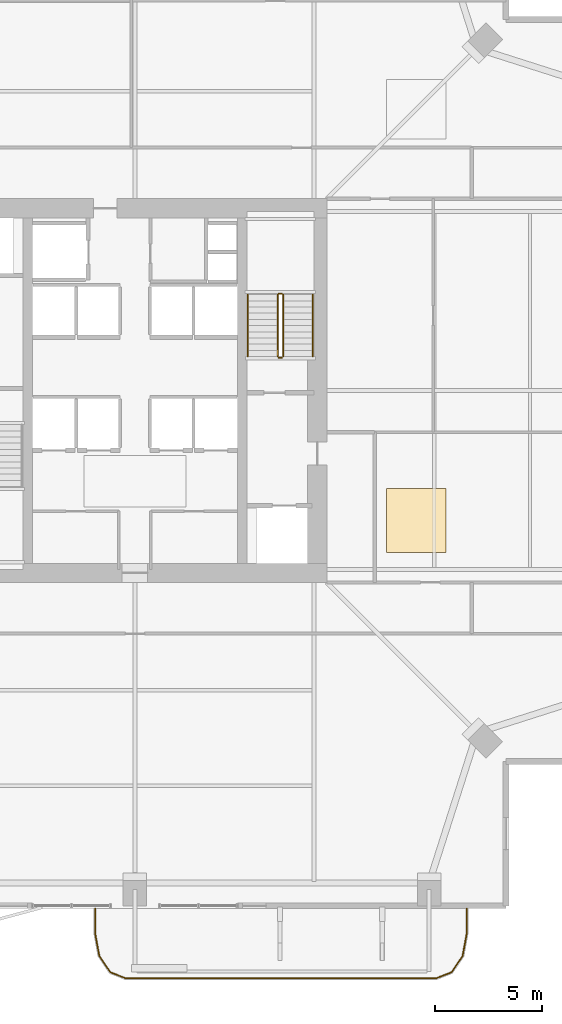
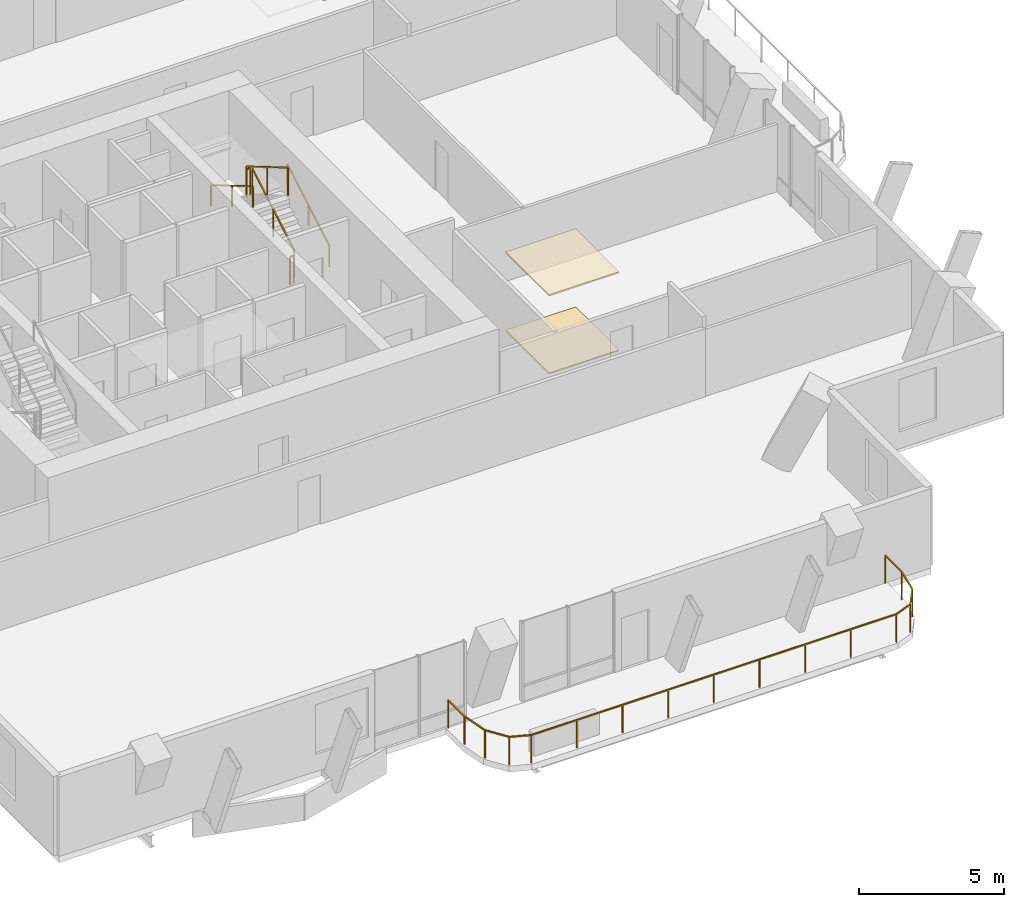
# One storey, part 23 of 24: 7 railings, 2 coverings.
"""IFC4 building model written with IfcOpenShell, lengths in metres."""

from ifc_helpers import new_model, si_unit, direction, frame, origin, origin_2d, place, context, subcontext, project, spatial, polyline, rectangle, outline, extrude, material, layer, layer_set, type_object, element, save


model = new_model("IFC4")

# Units and contexts
model_context = context("Model", 3, precision=1e-05, world=origin(), true_north=direction((0.0, 1.0)))
body_context = subcontext(model_context, "Body", "Model", "MODEL_VIEW")
ifc_project = project(units=[si_unit("LENGTHUNIT", "METRE"), si_unit("AREAUNIT", "SQUARE_METRE"), si_unit("VOLUMEUNIT", "CUBIC_METRE"), si_unit("PLANEANGLEUNIT", "RADIAN"), si_unit("MASSUNIT", "GRAM", prefix="KILO")], contexts=[model_context])

# Site, building, storey
site_placement = place(None, origin())
site = spatial("IfcSite", under=ifc_project, at=site_placement, CompositionType="ELEMENT")
building_placement = place(site_placement, origin())
building = spatial("IfcBuilding", under=site, at=building_placement, Name="Belovzor Exchange Tower", CompositionType="ELEMENT")
storey_placement = place(building_placement, frame((0.0, 0.0, 190.800048828125)))
storey = spatial("IfcBuildingStorey", under=building, at=storey_placement, Name="L47", CompositionType="ELEMENT", Elevation=190.800048828125)

# Railings
ifc_material_1 = material(Name="Stainless Steel Grade 304", Category="steel")
railing_type_1 = type_object("IfcRailingType", Name="Brushed Stainless Steel Stair Handrail 900", PredefinedType="HANDRAIL", material=ifc_material_1)
railing_1_placement = place(storey_placement, frame((37.14990234375, 30.39990234375, 0.17041015625)))
element("IfcRailing", 1, at=railing_1_placement, inside=storey, type_object=railing_type_1, Name="L47 ST-2 stair handrail 1", PredefinedType="HANDRAIL", context=body_context, shape_type="SweptSolid", body=[
    extrude(rectangle(XDim=0.048095703125, YDim=0.048095703125, at=origin_2d()), frame((0.0, 0.0, 0.8759765625), z_axis=(0.0, 0.862113265706, 0.506715617574), x_axis=(-1.0, 0.0, 0.0)), (0.0, 0.0, 1.0), 3.364013671875),
    extrude(rectangle(XDim=0.0419921875, YDim=0.0419921875, at=origin_2d()), origin(), (0.0, 0.0, 1.0), 0.851806640625),
    extrude(rectangle(XDim=0.0419921875, YDim=0.0419921875, at=origin_2d()), frame((0.0, 1.4501953125, 0.852294921875)), (0.0, 0.0, 1.0), 0.851806640625),
    extrude(rectangle(XDim=0.0419921875, YDim=0.0419921875, at=origin_2d()), frame((0.0, 2.900146484375, 1.70458984375)), (0.0, 0.0, 1.0), 0.851806640625),
])
railing_2_placement = place(storey_placement, frame((34.10009765625, 33.300048828125, 2.04541015625)))
element("IfcRailing", 2, at=railing_2_placement, inside=storey, type_object=railing_type_1, Name="L47 ST-2 stair handrail 2", PredefinedType="HANDRAIL", context=body_context, shape_type="SweptSolid", body=[
    extrude(rectangle(XDim=0.048095703125, YDim=0.048095703125, at=origin_2d()), frame((0.0, 0.0, 0.8759765625), z_axis=(0.0, -0.862113265706, 0.506715617574), x_axis=(1.0, 0.0, 0.0)), (0.0, 0.0, 1.0), 3.364013671875),
    extrude(rectangle(XDim=0.0419921875, YDim=0.0419921875, at=origin_2d()), origin(), (0.0, 0.0, 1.0), 0.851806640625),
    extrude(rectangle(XDim=0.0419921875, YDim=0.0419921875, at=origin_2d()), frame((0.0, -1.4501953125, 0.852294921875)), (0.0, 0.0, 1.0), 0.851806640625),
    extrude(rectangle(XDim=0.0419921875, YDim=0.0419921875, at=origin_2d()), frame((0.0, -2.900146484375, 1.70458984375)), (0.0, 0.0, 1.0), 0.851806640625),
])
ifc_material_2 = material(Name="Stainless Steel and Laminated Safety Glass", Category="steel")
railing_type_2 = type_object("IfcRailingType", Name="Laminated Glass & Stainless Steel Balcony Balustrade 1200", PredefinedType="BALUSTRADE", material=ifc_material_2)
railing_3_placement = place(storey_placement, frame((26.929931640625, 4.489990234375, 0.0)))
element("IfcRailing", 3, at=railing_3_placement, inside=storey, type_object=railing_type_2, Name="GR-1 Balcony Balustrade L47 South", PredefinedType="BALUSTRADE", context=body_context, shape_type="SweptSolid", body=[
    extrude(rectangle(XDim=0.048095703125, YDim=0.048095703125, at=origin_2d()), frame((0.0, 0.0, 1.17578125), z_axis=(0.0, -1.0, 0.0), x_axis=(1.0, 0.0, 0.0)), (0.0, 0.0, 1.0), 1.133056640625),
    extrude(rectangle(XDim=0.048095703125, YDim=0.048095703125, at=origin_2d()), frame((0.0, -1.133056640625, 1.17578125), z_axis=(0.180122719713, -0.983644145941, 0.0), x_axis=(0.983644145941, 0.180122719713, 0.0)), (0.0, 0.0, 1.0), 1.09375),
    extrude(rectangle(XDim=0.048095703125, YDim=0.048095703125, at=origin_2d()), frame((0.197021484375, -2.208984375, 1.17578125), z_axis=(0.56294695933, -0.826493025367, 0.0), x_axis=(0.826493025367, 0.56294695933, 0.0)), (0.0, 0.0, 1.0), 0.932861328125),
    extrude(rectangle(XDim=0.048095703125, YDim=0.048095703125, at=origin_2d()), frame((0.72216796875, -2.97998046875, 1.17578125), z_axis=(0.930766990125, -0.365612923861, 0.0), x_axis=(0.365612923861, 0.930766990125, 0.0)), (0.0, 0.0, 1.0), 0.765869140625),
    extrude(rectangle(XDim=0.048095703125, YDim=0.048095703125, at=origin_2d()), frame((1.43505859375, -3.260009765625, 1.17578125), z_axis=(1.0, 0.0, 0.0), x_axis=(0.0, 1.0, 0.0)), (0.0, 0.0, 1.0), 14.570068359375),
    extrude(rectangle(XDim=0.048095703125, YDim=0.048095703125, at=origin_2d()), frame((16.005126953125, -3.260009765625, 1.17578125), z_axis=(0.930766990125, 0.365612923861, 0.0), x_axis=(-0.365612923861, 0.930766990125, 0.0)), (0.0, 0.0, 1.0), 0.765869140625),
    extrude(rectangle(XDim=0.048095703125, YDim=0.048095703125, at=origin_2d()), frame((16.718017578125, -2.97998046875, 1.17578125), z_axis=(0.56294695933, 0.826493025367, 0.0), x_axis=(-0.826493025367, 0.56294695933, 0.0)), (0.0, 0.0, 1.0), 0.932861328125),
    extrude(rectangle(XDim=0.048095703125, YDim=0.048095703125, at=origin_2d()), frame((17.2431640625, -2.208984375, 1.17578125), z_axis=(0.180122719713, 0.983644145941, 0.0), x_axis=(-0.983644145941, 0.180122719713, 0.0)), (0.0, 0.0, 1.0), 1.09375),
    extrude(rectangle(XDim=0.048095703125, YDim=0.048095703125, at=origin_2d()), frame((17.440185546875, -1.133056640625, 1.17578125), z_axis=(0.0, 1.0, 0.0), x_axis=(-1.0, 0.0, 0.0)), (0.0, 0.0, 1.0), 1.133056640625),
    extrude(rectangle(XDim=0.0419921875, YDim=0.0419921875, at=origin_2d()), origin(), (0.0, 0.0, 1.0), 1.15185546875),
    extrude(rectangle(XDim=0.0419921875, YDim=0.0419921875, at=origin_2d()), frame((0.0, -1.133056640625, 0.0)), (0.0, 0.0, 1.0), 1.15185546875),
    extrude(rectangle(XDim=0.0419921875, YDim=0.0419921875, at=origin_2d()), frame((0.197021484375, -2.208984375, 0.0)), (0.0, 0.0, 1.0), 1.15185546875),
    extrude(rectangle(XDim=0.0419921875, YDim=0.0419921875, at=origin_2d()), frame((0.72216796875, -2.97998046875, 0.0)), (0.0, 0.0, 1.0), 1.15185546875),
    extrude(rectangle(XDim=0.0419921875, YDim=0.0419921875, at=origin_2d()), frame((1.43505859375, -3.260009765625, 0.0)), (0.0, 0.0, 1.0), 1.15185546875),
    extrude(rectangle(XDim=0.0419921875, YDim=0.0419921875, at=origin_2d()), frame((3.25634765625, -3.260009765625, 0.0)), (0.0, 0.0, 1.0), 1.15185546875),
    extrude(rectangle(XDim=0.0419921875, YDim=0.0419921875, at=origin_2d()), frame((5.07763671875, -3.260009765625, 0.0)), (0.0, 0.0, 1.0), 1.15185546875),
    extrude(rectangle(XDim=0.0419921875, YDim=0.0419921875, at=origin_2d()), frame((6.89892578125, -3.260009765625, 0.0)), (0.0, 0.0, 1.0), 1.15185546875),
    extrude(rectangle(XDim=0.0419921875, YDim=0.0419921875, at=origin_2d()), frame((8.72021484375, -3.260009765625, 0.0)), (0.0, 0.0, 1.0), 1.15185546875),
    extrude(rectangle(XDim=0.0419921875, YDim=0.0419921875, at=origin_2d()), frame((10.541259765625, -3.260009765625, 0.0)), (0.0, 0.0, 1.0), 1.15185546875),
    extrude(rectangle(XDim=0.0419921875, YDim=0.0419921875, at=origin_2d()), frame((12.362548828125, -3.260009765625, 0.0)), (0.0, 0.0, 1.0), 1.15185546875),
    extrude(rectangle(XDim=0.0419921875, YDim=0.0419921875, at=origin_2d()), frame((14.183837890625, -3.260009765625, 0.0)), (0.0, 0.0, 1.0), 1.15185546875),
    extrude(rectangle(XDim=0.0419921875, YDim=0.0419921875, at=origin_2d()), frame((16.005126953125, -3.260009765625, 0.0)), (0.0, 0.0, 1.0), 1.15185546875),
    extrude(rectangle(XDim=0.0419921875, YDim=0.0419921875, at=origin_2d()), frame((16.718017578125, -2.97998046875, 0.0)), (0.0, 0.0, 1.0), 1.15185546875),
    extrude(rectangle(XDim=0.0419921875, YDim=0.0419921875, at=origin_2d()), frame((17.2431640625, -2.208984375, 0.0)), (0.0, 0.0, 1.0), 1.15185546875),
    extrude(rectangle(XDim=0.0419921875, YDim=0.0419921875, at=origin_2d()), frame((17.440185546875, -1.133056640625, 0.0)), (0.0, 0.0, 1.0), 1.15185546875),
    extrude(rectangle(XDim=0.0419921875, YDim=0.0419921875, at=origin_2d()), frame((17.440185546875, 0.0, 0.0)), (0.0, 0.0, 1.0), 1.15185546875),
])
ifc_material_3 = material(Name="Steel S355", Category="steel")
railing_type_3 = type_object("IfcRailingType", Name="Painted Steel Stairwell Guardrail 1200", PredefinedType="GUARDRAIL", material=ifc_material_3)
railing_4_placement = place(storey_placement, frame((35.75, 30.39990234375, 0.17041015625)))
element("IfcRailing", 4, at=railing_4_placement, inside=storey, type_object=railing_type_3, Name="L47 ST-2 stair guard 1", PredefinedType="GUARDRAIL", context=body_context, shape_type="SweptSolid", body=[
    extrude(rectangle(XDim=0.048095703125, YDim=0.048095703125, at=origin_2d()), frame((0.0, 0.0, 1.17578125), z_axis=(0.0, 0.862113265706, 0.506715617574), x_axis=(-1.0, 0.0, 0.0)), (0.0, 0.0, 1.0), 3.364013671875),
    extrude(rectangle(XDim=0.0419921875, YDim=0.0419921875, at=origin_2d()), origin(), (0.0, 0.0, 1.0), 1.15185546875),
    extrude(rectangle(XDim=0.0419921875, YDim=0.0419921875, at=origin_2d()), frame((0.0, 1.4501953125, 0.852294921875)), (0.0, 0.0, 1.0), 1.15185546875),
    extrude(rectangle(XDim=0.0419921875, YDim=0.0419921875, at=origin_2d()), frame((0.0, 2.900146484375, 1.70458984375)), (0.0, 0.0, 1.0), 1.15185546875),
])
railing_5_placement = place(storey_placement, frame((35.699951171875, 33.35009765625, 1.875)))
element("IfcRailing", 5, at=railing_5_placement, inside=storey, type_object=railing_type_3, Name="L47 ST-2 stair guard 2", PredefinedType="GUARDRAIL", context=body_context, shape_type="SweptSolid", body=[
    extrude(rectangle(XDim=0.048095703125, YDim=0.048095703125, at=origin_2d()), frame((0.0, 0.0, 1.17578125), z_axis=(-1.0, 0.0, 0.0), x_axis=(0.0, -1.0, 0.0)), (0.0, 0.0, 1.0), 0.14990234375),
    extrude(rectangle(XDim=0.0419921875, YDim=0.0419921875, at=origin_2d()), origin(), (0.0, 0.0, 1.0), 1.15185546875),
    extrude(rectangle(XDim=0.0419921875, YDim=0.0419921875, at=origin_2d()), frame((-0.14990234375, 0.0, 0.0)), (0.0, 0.0, 1.0), 1.15185546875),
])
railing_6_placement = place(storey_placement, frame((35.5, 33.300048828125, 2.04541015625)))
element("IfcRailing", 6, at=railing_6_placement, inside=storey, type_object=railing_type_3, Name="L47 ST-2 stair guard 3", PredefinedType="GUARDRAIL", context=body_context, shape_type="SweptSolid", body=[
    extrude(rectangle(XDim=0.048095703125, YDim=0.048095703125, at=origin_2d()), frame((0.0, 0.0, 1.17578125), z_axis=(0.0, -0.862113265706, 0.506715617574), x_axis=(1.0, 0.0, 0.0)), (0.0, 0.0, 1.0), 3.364013671875),
    extrude(rectangle(XDim=0.0419921875, YDim=0.0419921875, at=origin_2d()), origin(), (0.0, 0.0, 1.0), 1.15185546875),
    extrude(rectangle(XDim=0.0419921875, YDim=0.0419921875, at=origin_2d()), frame((0.0, -1.4501953125, 0.852294921875)), (0.0, 0.0, 1.0), 1.15185546875),
    extrude(rectangle(XDim=0.0419921875, YDim=0.0419921875, at=origin_2d()), frame((0.0, -2.900146484375, 1.70458984375)), (0.0, 0.0, 1.0), 1.15185546875),
])
railing_7_placement = place(storey_placement, frame((35.699951171875, 30.35009765625, 0.0)))
element("IfcRailing", 7, at=railing_7_placement, inside=storey, type_object=railing_type_3, Name="L47 ST-2 stair guard 4", PredefinedType="GUARDRAIL", context=body_context, shape_type="SweptSolid", body=[
    extrude(rectangle(XDim=0.048095703125, YDim=0.048095703125, at=origin_2d()), frame((0.0, 0.0, 1.17578125), z_axis=(-1.0, 0.0, 0.0), x_axis=(0.0, -1.0, 0.0)), (0.0, 0.0, 1.0), 0.14990234375),
    extrude(rectangle(XDim=0.0419921875, YDim=0.0419921875, at=origin_2d()), origin(), (0.0, 0.0, 1.0), 1.15185546875),
    extrude(rectangle(XDim=0.0419921875, YDim=0.0419921875, at=origin_2d()), frame((-0.14990234375, 0.0, 0.0)), (0.0, 0.0, 1.0), 1.15185546875),
])

# Coverings
ifc_material_4 = material(Name="Perforated Powder-Coated Aluminium", Category="aluminium")
ifc_layer_1 = layer(ifc_material_4, 0.06005859375)
ifc_layer_set_1 = layer_set([ifc_layer_1], Name="Perforated Powder-Coated Aluminium")
covering_type_1 = type_object("IfcCoveringType", Name="Perforated Acoustic Metal Tile Suspended Ceiling 60", PredefinedType="CEILING", material=ifc_layer_set_1)
covering_1_placement = place(storey_placement, frame((0.0, 0.0, 3.2900390625)))
element("IfcCovering", 8, at=covering_1_placement, inside=storey, type_object=covering_type_1, Name="CLG-AC60 Suspended Ceiling CLG-L47-Z0", PredefinedType="CEILING", context=body_context, shape_type="SweptSolid", body=[
    extrude(outline(polyline([(40.60009765625, 21.199951171875), (43.39990234375, 21.199951171875), (43.39990234375, 24.199951171875), (40.60009765625, 24.199951171875), (40.60009765625, 21.199951171875)])), origin(), (0.0, 0.0, 1.0), 0.059814453125),
])
ifc_material_5 = material(Name="Polished Natural Granite Tile", Category="masonry")
ifc_layer_2 = layer(ifc_material_5, 0.050048828125)
ifc_layer_set_2 = layer_set([ifc_layer_2], Name="Polished Natural Granite Tile")
covering_type_2 = type_object("IfcCoveringType", Name="Polished Karelian Granite & Raised Access Floor Finish 50", PredefinedType="FLOORING", material=ifc_layer_set_2)
covering_2_placement = place(storey_placement, origin())
element("IfcCovering", 9, at=covering_2_placement, inside=storey, type_object=covering_type_2, Name="FLR-GR50 Floor Finish FLR-L47-Z0", PredefinedType="FLOORING", context=body_context, shape_type="SweptSolid", body=[
    extrude(outline(polyline([(40.60009765625, 21.199951171875), (43.39990234375, 21.199951171875), (43.39990234375, 24.199951171875), (40.60009765625, 24.199951171875), (40.60009765625, 21.199951171875)])), origin(), (0.0, 0.0, 1.0), 0.050048828125),
])

save(model, "model.ifc")
